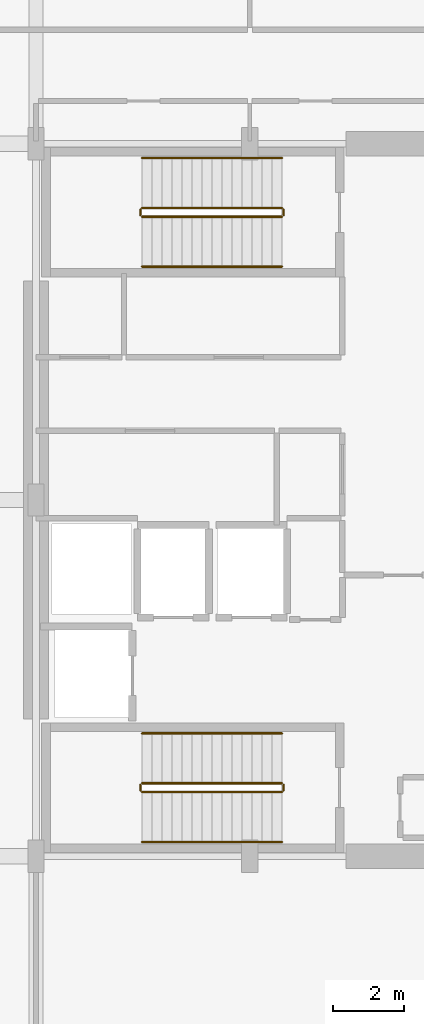
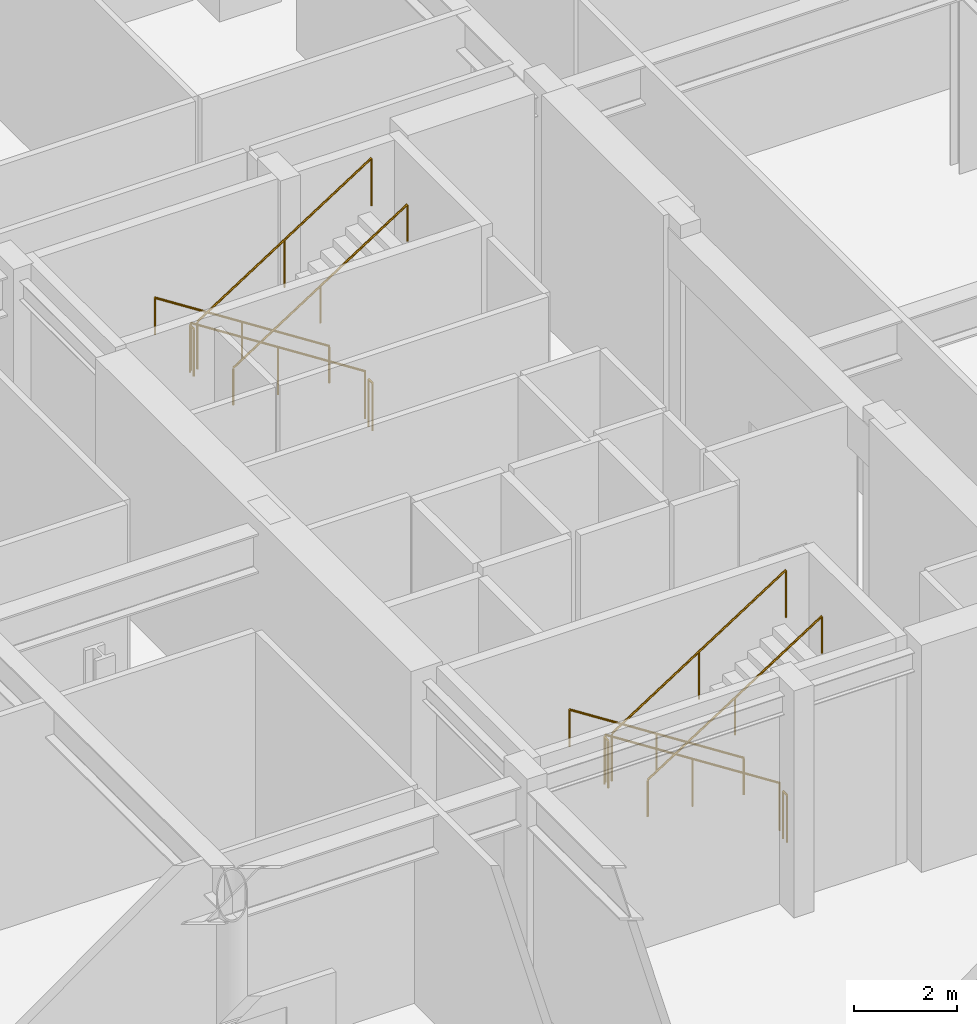
# One storey, part 24 of 25: 12 railings.
"""IFC4 building model written with IfcOpenShell, lengths in metres."""

from ifc_helpers import new_model, si_unit, direction, frame, origin, origin_2d, place, context, subcontext, project, spatial, circle, extrude, material, type_object, element, save


model = new_model("IFC4")

# Units and contexts
model_context = context("Model", 3, precision=1e-05, world=origin(), true_north=direction((0.0, 1.0)))
body_context = subcontext(model_context, "Body", "Model", "MODEL_VIEW")
ifc_project = project(units=[si_unit("LENGTHUNIT", "METRE"), si_unit("AREAUNIT", "SQUARE_METRE"), si_unit("VOLUMEUNIT", "CUBIC_METRE"), si_unit("PLANEANGLEUNIT", "RADIAN"), si_unit("MASSUNIT", "GRAM", prefix="KILO")], contexts=[model_context])

# Site, building, storey
site_placement = place(None, origin())
site = spatial("IfcSite", under=ifc_project, at=site_placement, CompositionType="ELEMENT")
building_placement = place(site_placement, origin())
building = spatial("IfcBuilding", under=site, at=building_placement, Name="Soratama Intermodal Tower", CompositionType="ELEMENT")
storey_placement = place(building_placement, frame((0.0, 0.0, -5.39990234375)))
storey = spatial("IfcBuildingStorey", under=building, at=storey_placement, Name="B1", CompositionType="ELEMENT", Elevation=-5.39990234375)

# Railings
ifc_material_1 = material(Name="Painted steel stair guardrail", Category="steel")
railing_type_1 = type_object("IfcRailingType", Name="RL-STAIR-GUARD", PredefinedType="GUARDRAIL", material=ifc_material_1)
railing_1_placement = place(storey_placement, frame((39.5, 17.050048828125, 0.179931640625)))
element("IfcRailing", 1, at=railing_1_placement, inside=storey, type_object=railing_type_1, Name="B1 ST-1 stair guard 1", PredefinedType="GUARDRAIL", context=body_context, shape_type="SweptSolid", body=[
    extrude(circle(Radius=0.02392578125, at=origin_2d()), frame((0.0, 0.0, 1.1259765625), z_axis=(-0.841171666519, 0.0, 0.540768182723), x_axis=(0.0, -1.0, 0.0)), (0.0, 0.0, 1.0), 4.66015625),
    extrude(circle(Radius=0.02099609375, at=origin_2d()), origin(), (0.0, 0.0, 1.0), 1.101806640625),
    extrude(circle(Radius=0.02099609375, at=origin_2d()), frame((-1.9599609375, 0.0, 1.260009765625)), (0.0, 0.0, 1.0), 1.101806640625),
    extrude(circle(Radius=0.02099609375, at=origin_2d()), frame((-3.919921875, 0.0, 2.52001953125)), (0.0, 0.0, 1.0), 1.101806640625),
])
railing_2_placement = place(storey_placement, frame((35.530029296875, 17.0, 2.699951171875)))
element("IfcRailing", 2, at=railing_2_placement, inside=storey, type_object=railing_type_1, Name="B1 ST-1 stair guard 2", PredefinedType="GUARDRAIL", context=body_context, shape_type="SweptSolid", body=[
    extrude(circle(Radius=0.02392578125, at=origin_2d()), frame((0.0, 0.0, 1.1259765625), z_axis=(0.0, -1.0, 0.0), x_axis=(1.0, 0.0, 0.0)), (0.0, 0.0, 1.0), 0.14990234375),
    extrude(circle(Radius=0.02099609375, at=origin_2d()), origin(), (0.0, 0.0, 1.0), 1.101806640625),
    extrude(circle(Radius=0.02099609375, at=origin_2d()), frame((0.0, -0.14990234375, 0.0)), (0.0, 0.0, 1.0), 1.101806640625),
])
railing_3_placement = place(storey_placement, frame((35.580078125, 16.800048828125, 2.8798828125)))
element("IfcRailing", 3, at=railing_3_placement, inside=storey, type_object=railing_type_1, Name="B1 ST-1 stair guard 3", PredefinedType="GUARDRAIL", context=body_context, shape_type="SweptSolid", body=[
    extrude(circle(Radius=0.02392578125, at=origin_2d()), frame((0.0, 0.0, 1.1259765625), z_axis=(0.841171666519, 0.0, 0.540768182723), x_axis=(0.0, 1.0, 0.0)), (0.0, 0.0, 1.0), 4.66015625),
    extrude(circle(Radius=0.02099609375, at=origin_2d()), origin(), (0.0, 0.0, 1.0), 1.101806640625),
    extrude(circle(Radius=0.02099609375, at=origin_2d()), frame((1.9599609375, 0.0, 1.260009765625)), (0.0, 0.0, 1.0), 1.101806640625),
    extrude(circle(Radius=0.02099609375, at=origin_2d()), frame((3.919921875, 0.0, 2.52001953125)), (0.0, 0.0, 1.0), 1.101806640625),
])
railing_4_placement = place(storey_placement, frame((39.550048828125, 17.0, 0.0)))
element("IfcRailing", 4, at=railing_4_placement, inside=storey, type_object=railing_type_1, Name="B1 ST-1 stair guard 4", PredefinedType="GUARDRAIL", context=body_context, shape_type="SweptSolid", body=[
    extrude(circle(Radius=0.02392578125, at=origin_2d()), frame((0.0, 0.0, 1.1259765625), z_axis=(0.0, -1.0, 0.0), x_axis=(1.0, 0.0, 0.0)), (0.0, 0.0, 1.0), 0.14990234375),
    extrude(circle(Radius=0.02099609375, at=origin_2d()), origin(), (0.0, 0.0, 1.0), 1.101806640625),
    extrude(circle(Radius=0.02099609375, at=origin_2d()), frame((0.0, -0.14990234375, 0.0)), (0.0, 0.0, 1.0), 1.101806640625),
])
railing_5_placement = place(storey_placement, frame((39.5, 33.199951171875, 0.179931640625)))
element("IfcRailing", 5, at=railing_5_placement, inside=storey, type_object=railing_type_1, Name="B1 ST-2 stair guard 1", PredefinedType="GUARDRAIL", context=body_context, shape_type="SweptSolid", body=[
    extrude(circle(Radius=0.02392578125, at=origin_2d()), frame((0.0, 0.0, 1.1259765625), z_axis=(-0.841171666519, 0.0, 0.540768182723), x_axis=(0.0, -1.0, 0.0)), (0.0, 0.0, 1.0), 4.66015625),
    extrude(circle(Radius=0.02099609375, at=origin_2d()), origin(), (0.0, 0.0, 1.0), 1.101806640625),
    extrude(circle(Radius=0.02099609375, at=origin_2d()), frame((-1.9599609375, 0.0, 1.260009765625)), (0.0, 0.0, 1.0), 1.101806640625),
    extrude(circle(Radius=0.02099609375, at=origin_2d()), frame((-3.919921875, 0.0, 2.52001953125)), (0.0, 0.0, 1.0), 1.101806640625),
])
railing_6_placement = place(storey_placement, frame((35.530029296875, 33.14990234375, 2.699951171875)))
element("IfcRailing", 6, at=railing_6_placement, inside=storey, type_object=railing_type_1, Name="B1 ST-2 stair guard 2", PredefinedType="GUARDRAIL", context=body_context, shape_type="SweptSolid", body=[
    extrude(circle(Radius=0.02392578125, at=origin_2d()), frame((0.0, 0.0, 1.1259765625), z_axis=(0.0, -1.0, 0.0), x_axis=(1.0, 0.0, 0.0)), (0.0, 0.0, 1.0), 0.14990234375),
    extrude(circle(Radius=0.02099609375, at=origin_2d()), origin(), (0.0, 0.0, 1.0), 1.101806640625),
    extrude(circle(Radius=0.02099609375, at=origin_2d()), frame((0.0, -0.14990234375, 0.0)), (0.0, 0.0, 1.0), 1.101806640625),
])
railing_7_placement = place(storey_placement, frame((35.580078125, 32.949951171875, 2.8798828125)))
element("IfcRailing", 7, at=railing_7_placement, inside=storey, type_object=railing_type_1, Name="B1 ST-2 stair guard 3", PredefinedType="GUARDRAIL", context=body_context, shape_type="SweptSolid", body=[
    extrude(circle(Radius=0.02392578125, at=origin_2d()), frame((0.0, 0.0, 1.1259765625), z_axis=(0.841171666519, 0.0, 0.540768182723), x_axis=(0.0, 1.0, 0.0)), (0.0, 0.0, 1.0), 4.66015625),
    extrude(circle(Radius=0.02099609375, at=origin_2d()), origin(), (0.0, 0.0, 1.0), 1.101806640625),
    extrude(circle(Radius=0.02099609375, at=origin_2d()), frame((1.9599609375, 0.0, 1.260009765625)), (0.0, 0.0, 1.0), 1.101806640625),
    extrude(circle(Radius=0.02099609375, at=origin_2d()), frame((3.919921875, 0.0, 2.52001953125)), (0.0, 0.0, 1.0), 1.101806640625),
])
railing_8_placement = place(storey_placement, frame((39.550048828125, 33.14990234375, 0.0)))
element("IfcRailing", 8, at=railing_8_placement, inside=storey, type_object=railing_type_1, Name="B1 ST-2 stair guard 4", PredefinedType="GUARDRAIL", context=body_context, shape_type="SweptSolid", body=[
    extrude(circle(Radius=0.02392578125, at=origin_2d()), frame((0.0, 0.0, 1.1259765625), z_axis=(0.0, -1.0, 0.0), x_axis=(1.0, 0.0, 0.0)), (0.0, 0.0, 1.0), 0.14990234375),
    extrude(circle(Radius=0.02099609375, at=origin_2d()), origin(), (0.0, 0.0, 1.0), 1.101806640625),
    extrude(circle(Radius=0.02099609375, at=origin_2d()), frame((0.0, -0.14990234375, 0.0)), (0.0, 0.0, 1.0), 1.101806640625),
])
ifc_material_2 = material(Name="Brushed stainless steel handrail", Category="steel")
railing_type_2 = type_object("IfcRailingType", Name="RL-STAIR-HAND", PredefinedType="HANDRAIL", material=ifc_material_2)
railing_9_placement = place(storey_placement, frame((39.5, 18.449951171875, 0.179931640625)))
element("IfcRailing", 9, at=railing_9_placement, inside=storey, type_object=railing_type_2, Name="B1 ST-1 stair handrail 1", PredefinedType="HANDRAIL", context=body_context, shape_type="SweptSolid", body=[
    extrude(circle(Radius=0.02392578125, at=origin_2d()), frame((0.0, 0.0, 0.8759765625), z_axis=(-0.841171666519, 0.0, 0.540768182723), x_axis=(0.0, -1.0, 0.0)), (0.0, 0.0, 1.0), 4.66015625),
    extrude(circle(Radius=0.02099609375, at=origin_2d()), origin(), (0.0, 0.0, 1.0), 0.851806640625),
    extrude(circle(Radius=0.02099609375, at=origin_2d()), frame((-1.9599609375, 0.0, 1.260009765625)), (0.0, 0.0, 1.0), 0.851806640625),
    extrude(circle(Radius=0.02099609375, at=origin_2d()), frame((-3.919921875, 0.0, 2.52001953125)), (0.0, 0.0, 1.0), 0.851806640625),
])
railing_10_placement = place(storey_placement, frame((35.580078125, 15.39990234375, 2.8798828125)))
element("IfcRailing", 10, at=railing_10_placement, inside=storey, type_object=railing_type_2, Name="B1 ST-1 stair handrail 2", PredefinedType="HANDRAIL", context=body_context, shape_type="SweptSolid", body=[
    extrude(circle(Radius=0.02392578125, at=origin_2d()), frame((0.0, 0.0, 0.8759765625), z_axis=(0.841171666519, 0.0, 0.540768182723), x_axis=(0.0, 1.0, 0.0)), (0.0, 0.0, 1.0), 4.66015625),
    extrude(circle(Radius=0.02099609375, at=origin_2d()), origin(), (0.0, 0.0, 1.0), 0.851806640625),
    extrude(circle(Radius=0.02099609375, at=origin_2d()), frame((1.9599609375, 0.0, 1.260009765625)), (0.0, 0.0, 1.0), 0.851806640625),
    extrude(circle(Radius=0.02099609375, at=origin_2d()), frame((3.919921875, 0.0, 2.52001953125)), (0.0, 0.0, 1.0), 0.851806640625),
])
railing_11_placement = place(storey_placement, frame((39.5, 34.60009765625, 0.179931640625)))
element("IfcRailing", 11, at=railing_11_placement, inside=storey, type_object=railing_type_2, Name="B1 ST-2 stair handrail 1", PredefinedType="HANDRAIL", context=body_context, shape_type="SweptSolid", body=[
    extrude(circle(Radius=0.02392578125, at=origin_2d()), frame((0.0, 0.0, 0.8759765625), z_axis=(-0.841171666519, 0.0, 0.540768182723), x_axis=(0.0, -1.0, 0.0)), (0.0, 0.0, 1.0), 4.66015625),
    extrude(circle(Radius=0.02099609375, at=origin_2d()), origin(), (0.0, 0.0, 1.0), 0.851806640625),
    extrude(circle(Radius=0.02099609375, at=origin_2d()), frame((-1.9599609375, 0.0, 1.260009765625)), (0.0, 0.0, 1.0), 0.851806640625),
    extrude(circle(Radius=0.02099609375, at=origin_2d()), frame((-3.919921875, 0.0, 2.52001953125)), (0.0, 0.0, 1.0), 0.851806640625),
])
railing_12_placement = place(storey_placement, frame((35.580078125, 31.550048828125, 2.8798828125)))
element("IfcRailing", 12, at=railing_12_placement, inside=storey, type_object=railing_type_2, Name="B1 ST-2 stair handrail 2", PredefinedType="HANDRAIL", context=body_context, shape_type="SweptSolid", body=[
    extrude(circle(Radius=0.02392578125, at=origin_2d()), frame((0.0, 0.0, 0.8759765625), z_axis=(0.841171666519, 0.0, 0.540768182723), x_axis=(0.0, 1.0, 0.0)), (0.0, 0.0, 1.0), 4.66015625),
    extrude(circle(Radius=0.02099609375, at=origin_2d()), origin(), (0.0, 0.0, 1.0), 0.851806640625),
    extrude(circle(Radius=0.02099609375, at=origin_2d()), frame((1.9599609375, 0.0, 1.260009765625)), (0.0, 0.0, 1.0), 0.851806640625),
    extrude(circle(Radius=0.02099609375, at=origin_2d()), frame((3.919921875, 0.0, 2.52001953125)), (0.0, 0.0, 1.0), 0.851806640625),
])

save(model, "model.ifc")
